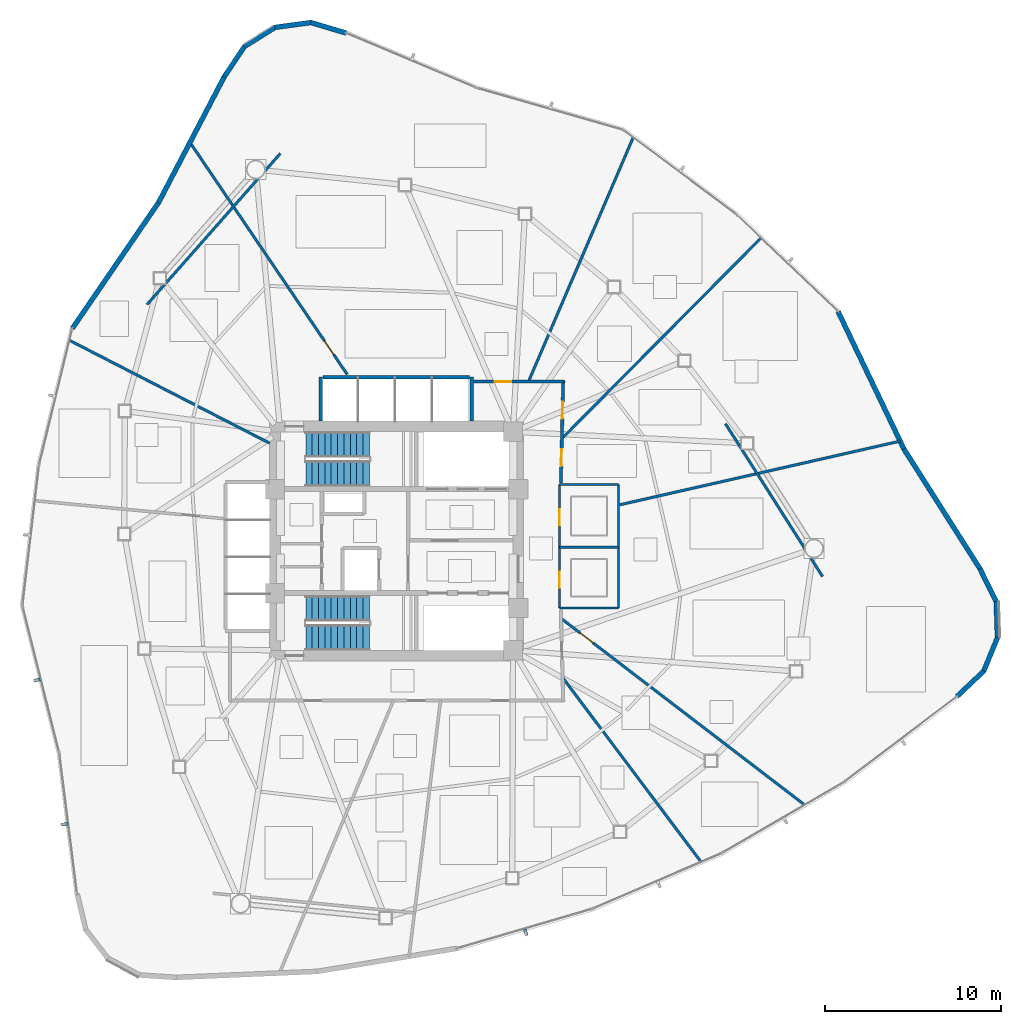
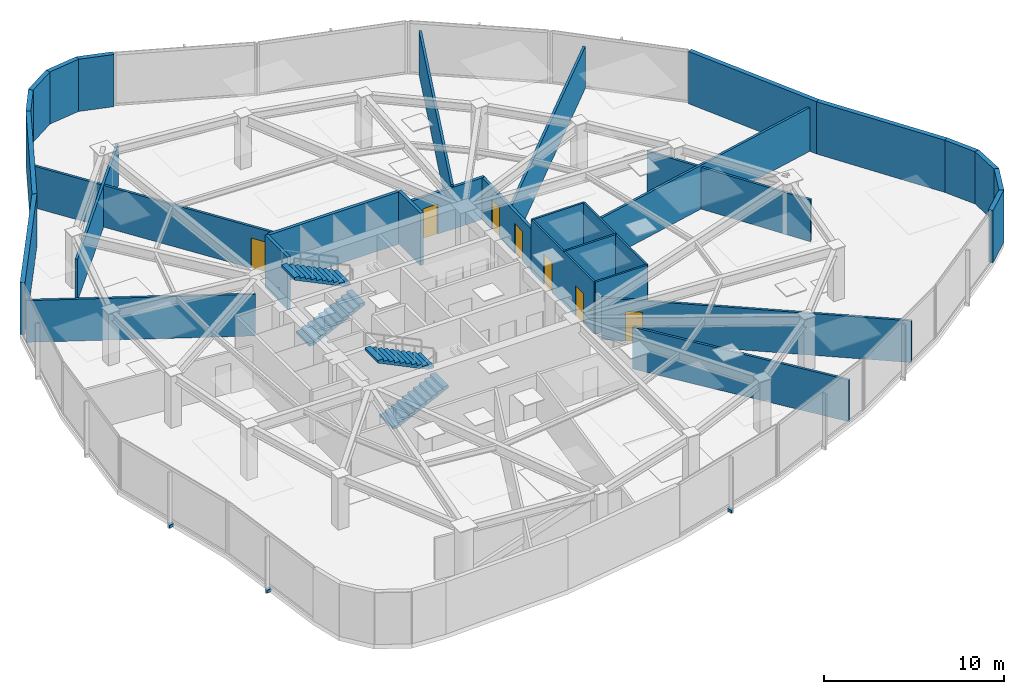
# One storey, part 12 of 17: 31 walls, 7 doors, 4 stair flights, 3 discrete accessories, 7 openings, 2 elements without a shape of their own.
"""IFC4 building model written with IfcOpenShell, lengths in metres."""

from ifc_helpers import new_model, si_unit, direction, frame, frame_2d, origin, origin_2d, place, context, subcontext, project, spatial, polyline, rectangle, outline, extrude, source, transform, mapped, material, layer, layer_set, type_object, type_shapes, element, fill, aggregate, save


model = new_model("IFC4")

# Units and contexts
model_context = context("Model", 3, precision=1e-05, world=origin(), true_north=direction((0.0, 1.0)))
body_context = subcontext(model_context, "Body", "Model", "MODEL_VIEW")
ifc_project = project(units=[si_unit("LENGTHUNIT", "METRE"), si_unit("AREAUNIT", "SQUARE_METRE"), si_unit("VOLUMEUNIT", "CUBIC_METRE"), si_unit("PLANEANGLEUNIT", "RADIAN"), si_unit("MASSUNIT", "GRAM", prefix="KILO")], contexts=[model_context])

# Site, building, storey
site_placement = place(None, origin())
site = spatial("IfcSite", under=ifc_project, at=site_placement, CompositionType="ELEMENT")
building_placement = place(site_placement, origin())
building = spatial("IfcBuilding", under=site, at=building_placement, Name="Tavelor Broadcast Tower", CompositionType="ELEMENT")
storey_placement = place(building_placement, frame((0.0, 0.0, 115.60009765625)))
storey = spatial("IfcBuildingStorey", under=building, at=storey_placement, Name="L26", CompositionType="ELEMENT", Elevation=115.60009765625)

# Wall, opening, door
ifc_material_1 = material(Name="Calcium Silicate Fire Board 180 mm", Category="gypsum")
ifc_layer_1 = layer(ifc_material_1, 0.179931640625)
ifc_layer_set_1 = layer_set([ifc_layer_1], Name="Calcium Silicate Fire Board 180 mm")
wall_type_1 = type_object("IfcWallType", Name="Fire-Rated Corridor Partition Wall 180 mm", PredefinedType="PARTITIONING", material=ifc_layer_set_1)
wall_1_placement = place(storey_placement, frame((54.300048828125, 54.050048828125, 0.0), z_axis=(0.0, 0.0, 1.0), x_axis=(1.0, 0.0, 0.0)))
wall_1 = element("IfcWall", 1, at=wall_1_placement, inside=storey, type_object=wall_type_1, Name="L26 Corridor Compartment Wall 01", PredefinedType="PARTITIONING", context=body_context, shape_type="SweptSolid", body=[
    extrude(rectangle(XDim=5.199951171875, YDim=0.179931640625, at=frame_2d((2.60009765625, 0.0))), origin(), (0.0, 0.0, 1.0), 2.8349609375),
])
opening_1_placement = place(wall_1_placement, frame((1.25244140625, 0.0, 0.0)))
opening_1 = element("IfcOpeningElement", 2, at=opening_1_placement, cuts=wall_1, Name="Opening DR18", PredefinedType="OPENING", context=body_context, shape_type="SweptSolid", body=[
    extrude(rectangle(XDim=0.949951171875, YDim=2.050048828125, at=frame_2d((0.47509765625, 1.02490234375))), frame((0.0, 0.10009765625, 0.0), z_axis=(0.0, -1.0, 0.0), x_axis=(1.0, 0.0, 0.0)), (0.0, 0.0, 1.0), 0.199951171875),
])
ifc_material_2 = material(Name="Timber Solid Core Hardwood", Category="wood")
door_type_1 = type_object("IfcDoorType", Name="Corridor Rated Compartment Door 950x2050", OperationType="NOTDEFINED", PredefinedType="DOOR", material=ifc_material_2)
door_1_placement = place(opening_1_placement, origin())
door_1 = element("IfcDoor", 3, at=door_1_placement, inside=storey, type_object=door_type_1, Name="L26 Master Control Room Door R8", OperationType="SINGLE_SWING_LEFT", OverallHeight=2.050048828125, OverallWidth=0.949951171875, PredefinedType="DOOR", context=body_context, shape_type="SweptSolid", body=[
    extrude(rectangle(XDim=0.949951171875, YDim=2.050048828125, at=frame_2d((0.47509765625, 1.02490234375))), frame((0.0, 0.02490234375, 0.0), z_axis=(0.0, -1.0, 0.0), x_axis=(1.0, 0.0, 0.0)), (0.0, 0.0, 1.0), 0.050048828125),
])
fill(opening_1, door_1)

# Wall, openings, doors
wall_2_placement = place(storey_placement, frame((59.451171875, 54.10009765625, 0.0), z_axis=(0.0, 0.0, 1.0), x_axis=(-0.023271046154, -0.999729192537, 0.0)))
wall_2 = element("IfcWall", 4, at=wall_2_placement, inside=storey, type_object=wall_type_1, Name="L26 Corridor Compartment Wall 02", PredefinedType="PARTITIONING", context=body_context, shape_type="SweptSolid", body=[
    extrude(rectangle(XDim=5.801513671875, YDim=0.179931640625, at=frame_2d((2.90087890625, 0.0))), origin(), (0.0, 0.0, 1.0), 2.8349609375),
])
opening_2_placement = place(wall_2_placement, frame((1.20849609375, 0.0, 0.0)))
opening_2 = element("IfcOpeningElement", 5, at=opening_2_placement, cuts=wall_2, Name="Opening DR18", PredefinedType="OPENING", context=body_context, shape_type="SweptSolid", body=[
    extrude(rectangle(XDim=0.949951171875, YDim=2.050048828125, at=frame_2d((0.47509765625, 1.02490234375))), frame((0.0, 0.10009765625, 0.0), z_axis=(0.0, -1.0, 0.0), x_axis=(1.0, 0.0, 0.0)), (0.0, 0.0, 1.0), 0.199951171875),
])
opening_3_placement = place(wall_2_placement, frame((3.894287109375, 0.0, 0.0)))
opening_3 = element("IfcOpeningElement", 6, at=opening_3_placement, cuts=wall_2, Name="Opening DR18", PredefinedType="OPENING", context=body_context, shape_type="SweptSolid", body=[
    extrude(rectangle(XDim=0.949951171875, YDim=2.050048828125, at=frame_2d((0.47509765625, 1.02490234375))), frame((0.0, 0.10009765625, 0.0), z_axis=(0.0, -1.0, 0.0), x_axis=(1.0, 0.0, 0.0)), (0.0, 0.0, 1.0), 0.199951171875),
])
door_2_placement = place(opening_2_placement, origin())
door_2 = element("IfcDoor", 7, at=door_2_placement, inside=storey, type_object=door_type_1, Name="L26 Studio Foley Workshop Door R9", OperationType="SINGLE_SWING_RIGHT", OverallHeight=2.050048828125, OverallWidth=0.949951171875, PredefinedType="DOOR", context=body_context, shape_type="SweptSolid", body=[
    extrude(rectangle(XDim=0.949951171875, YDim=2.050048828125, at=frame_2d((0.47509765625, 1.02490234375))), frame((0.0, 0.02490234375, 0.0), z_axis=(0.0, -1.0, 0.0), x_axis=(1.0, 0.0, 0.0)), (0.0, 0.0, 1.0), 0.050048828125),
])
fill(opening_2, door_2)
door_3_placement = place(opening_3_placement, origin())
door_3 = element("IfcDoor", 8, at=door_3_placement, inside=storey, type_object=door_type_1, Name="L26 Podcast Recording Studio Door R0", OperationType="SINGLE_SWING_LEFT", OverallHeight=2.050048828125, OverallWidth=0.949951171875, PredefinedType="DOOR", context=body_context, shape_type="SweptSolid", body=[
    extrude(rectangle(XDim=0.949951171875, YDim=2.050048828125, at=frame_2d((0.47509765625, 1.02490234375))), frame((0.0, 0.02490234375, 0.0), z_axis=(0.0, -1.0, 0.0), x_axis=(1.0, 0.0, 0.0)), (0.0, 0.0, 1.0), 0.050048828125),
])
fill(opening_3, door_3)

# Walls
ifc_material_3 = material(Name="Precast Concrete C40/50", Category="concrete")
ifc_layer_2 = layer(ifc_material_3, 0.280029296875)
ifc_layer_set_2 = layer_set([ifc_layer_2], Name="Precast Concrete C40/50")
wall_type_2 = type_object("IfcWallType", Name="Insulated Precast Terracotta Facade Wall 280 mm", PredefinedType="STANDARD", material=ifc_layer_set_2)
wall_3_placement = place(storey_placement, frame((47.130615234375, 73.824951171875, 0.0), z_axis=(0.0, 0.0, 1.0), x_axis=(-0.958057109421, 0.286577345733, 0.0)))
element("IfcWall", 9, at=wall_3_placement, inside=storey, type_object=wall_type_2, Name="L26 Rounded Corner Structural Cladding Pier 01", PredefinedType="STANDARD", context=body_context, shape_type="SweptSolid", body=[
    extrude(rectangle(XDim=2.09326171875, YDim=0.280029296875, at=frame_2d((1.046630859375, 0.0))), origin(), (0.0, 0.0, 1.0), 3.5498046875),
])
for number, where, z_axis, x_axis, name in (
    (10, (45.154296875, 74.42236328125, 0.0), (0.0, 0.0, 1.0), (-0.991114858431, -0.133008786918, 0.0), "L26 Rounded Corner Structural Cladding Pier 02"),
    (11, (43.118896484375, 74.1552734375, 0.0), (0.0, 0.0, 1.0), (-0.848485560795, -0.529218530593, 0.0), "L26 Rounded Corner Structural Cladding Pier 03"),
):
    element("IfcWall", number, at=place(storey_placement, frame(where, z_axis=z_axis, x_axis=x_axis)), inside=storey, type_object=wall_type_2, Name=name, PredefinedType="STANDARD", context=body_context, shape_type="SweptSolid", body=[
        extrude(rectangle(XDim=2.08154296875, YDim=0.280029296875, at=frame_2d((1.040771484375, 0.0))), origin(), (0.0, 0.0, 1.0), 3.5498046875),
    ])
wall_4_placement = place(storey_placement, frame((41.3740234375, 73.07421875, 0.0), z_axis=(0.0, 0.0, 1.0), x_axis=(-0.555556746899, -0.831478623282, 0.0)))
element("IfcWall", 12, at=wall_4_placement, inside=storey, type_object=wall_type_2, Name="L26 Rounded Corner Structural Cladding Pier 04", PredefinedType="STANDARD", context=body_context, shape_type="SweptSolid", body=[
    extrude(rectangle(XDim=2.10400390625, YDim=0.280029296875, at=frame_2d((1.052001953125, 0.0))), origin(), (0.0, 0.0, 1.0), 3.5498046875),
])
wall_5_placement = place(storey_placement, frame((40.22021484375, 71.3505859375, 0.0), z_axis=(0.0, 0.0, 1.0), x_axis=(-0.462914452977, -0.886402960975, 0.0)))
element("IfcWall", 13, at=wall_5_placement, inside=storey, type_object=wall_type_2, Name="L26 Rounded Corner Structural Cladding Pier 05", PredefinedType="STANDARD", context=body_context, shape_type="SweptSolid", body=[
    extrude(rectangle(XDim=8.068603515625, YDim=0.280029296875, at=frame_2d((4.0341796875, 0.0))), origin(), (0.0, 0.0, 1.0), 3.5498046875),
])
wall_6_placement = place(storey_placement, frame((36.50048828125, 64.22412109375, 0.0), z_axis=(0.0, 0.0, 1.0), x_axis=(-0.56512603043, -0.825004587703, 0.0)))
element("IfcWall", 14, at=wall_6_placement, inside=storey, type_object=wall_type_2, Name="L26 Rounded Corner Structural Cladding Pier 06", PredefinedType="STANDARD", context=body_context, shape_type="SweptSolid", body=[
    extrude(rectangle(XDim=8.669189453125, YDim=0.280029296875, at=frame_2d((4.33447265625, 0.0))), origin(), (0.0, 0.0, 1.0), 3.5498046875),
])
wall_7_placement = place(storey_placement, frame((81.798095703125, 36.190185546875, 0.0), z_axis=(0.0, 0.0, 1.0), x_axis=(0.727110183579, 0.686520779683, 0.0)))
element("IfcWall", 15, at=wall_7_placement, inside=storey, type_object=wall_type_2, Name="L26 Rounded Corner Structural Cladding Pier 21", PredefinedType="STANDARD", context=body_context, shape_type="SweptSolid", body=[
    extrude(rectangle(XDim=2.09326171875, YDim=0.280029296875, at=frame_2d((1.046630859375, 0.0))), origin(), (0.0, 0.0, 1.0), 3.5498046875),
])
wall_8_placement = place(storey_placement, frame((83.303466796875, 37.602783203125, 0.0), z_axis=(0.0, 0.0, 1.0), x_axis=(0.38023064768, 0.92489169883, 0.0)))
element("IfcWall", 16, at=wall_8_placement, inside=storey, type_object=wall_type_2, Name="L26 Rounded Corner Structural Cladding Pier 22", PredefinedType="STANDARD", context=body_context, shape_type="SweptSolid", body=[
    extrude(rectangle(XDim=2.08154296875, YDim=0.280029296875, at=frame_2d((1.040771484375, 0.0))), origin(), (0.0, 0.0, 1.0), 3.5498046875),
])
wall_9_placement = place(storey_placement, frame((84.089599609375, 39.499267578125, 0.0), z_axis=(0.0, 0.0, 1.0), x_axis=(-0.034017858603, 0.999421225158, 0.0)))
element("IfcWall", 17, at=wall_9_placement, inside=storey, type_object=wall_type_2, Name="L26 Rounded Corner Structural Cladding Pier 23", PredefinedType="STANDARD", context=body_context, shape_type="SweptSolid", body=[
    extrude(rectangle(XDim=2.081298828125, YDim=0.280029296875, at=frame_2d((1.04052734375, 0.0))), origin(), (0.0, 0.0, 1.0), 3.5498046875),
])
wall_10_placement = place(storey_placement, frame((84.02587890625, 41.551025390625, 0.0), z_axis=(0.0, 0.0, 1.0), x_axis=(-0.442240058181, 0.896896722561, 0.0)))
element("IfcWall", 18, at=wall_10_placement, inside=storey, type_object=wall_type_2, Name="L26 Rounded Corner Structural Cladding Pier 24", PredefinedType="STANDARD", context=body_context, shape_type="SweptSolid", body=[
    extrude(rectangle(XDim=2.103759765625, YDim=0.280029296875, at=frame_2d((1.0517578125, 0.0))), origin(), (0.0, 0.0, 1.0), 3.5498046875),
])
wall_11_placement = place(storey_placement, frame((83.110107421875, 43.411865234375, 0.0), z_axis=(0.0, 0.0, 1.0), x_axis=(-0.536180294115, 0.844103484297, 0.0)))
element("IfcWall", 19, at=wall_11_placement, inside=storey, type_object=wall_type_2, Name="L26 Rounded Corner Structural Cladding Pier 25", PredefinedType="STANDARD", context=body_context, shape_type="SweptSolid", body=[
    extrude(rectangle(XDim=8.06884765625, YDim=0.280029296875, at=frame_2d((4.034423828125, 0.0))), origin(), (0.0, 0.0, 1.0), 3.5498046875),
])
wall_12_placement = place(storey_placement, frame((78.79833984375, 50.196533203125, 0.0), z_axis=(0.0, 0.0, 1.0), x_axis=(-0.431907841394, 0.901917743778, 0.0)))
element("IfcWall", 20, at=wall_12_placement, inside=storey, type_object=wall_type_2, Name="L26 Rounded Corner Structural Cladding Pier 26", PredefinedType="STANDARD", context=body_context, shape_type="SweptSolid", body=[
    extrude(rectangle(XDim=8.66943359375, YDim=0.280029296875, at=frame_2d((4.334716796875, 0.0))), origin(), (0.0, 0.0, 1.0), 3.5498046875),
])
ifc_material_4 = material(Name="Gypsum Acoustic Plasterboard 150 mm", Category="gypsum")
ifc_layer_3 = layer(ifc_material_4, 0.14990234375)
ifc_layer_set_3 = layer_set([ifc_layer_3], Name="Gypsum Acoustic Plasterboard 150 mm")
wall_type_3 = type_object("IfcWallType", Name="Interior Acoustic Partition Wall 150 mm", PredefinedType="PARTITIONING", material=ifc_layer_set_3)
wall_13_placement = place(storey_placement, frame((43.399658203125, 66.988525390625, 0.0), z_axis=(0.0, 0.0, 1.0), x_axis=(-0.661622343701, -0.749837231881, 0.0)))
element("IfcWall", 21, at=wall_13_placement, inside=storey, type_object=wall_type_3, Name="L26 Corner Tube Brace Furring Wall 1", PredefinedType="PARTITIONING", context=body_context, shape_type="SweptSolid", body=[
    extrude(rectangle(XDim=11.42724609375, YDim=0.14990234375, at=frame_2d((5.713623046875, 0.0))), origin(), (0.0, 0.0, 1.0), 2.8349609375),
])
wall_14_placement = place(storey_placement, frame((74.16259765625, 42.9931640625, 0.0), z_axis=(0.0, 0.0, 1.0), x_axis=(-0.53628142437, 0.844039237166, 0.0)))
element("IfcWall", 22, at=wall_14_placement, inside=storey, type_object=wall_type_3, Name="L26 Corner Tube Brace Furring Wall 3", PredefinedType="PARTITIONING", context=body_context, shape_type="SweptSolid", body=[
    extrude(rectangle(XDim=10.266845703125, YDim=0.14990234375, at=frame_2d((5.13330078125, 0.0))), origin(), (0.0, 0.0, 1.0), 2.8349609375),
])
wall_15_placement = place(storey_placement, frame((59.416015625, 37.255859375, 0.0), z_axis=(0.0, 0.0, 1.0), x_axis=(0.60052474056, -0.799606175549, 0.0)))
element("IfcWall", 23, at=wall_15_placement, inside=storey, type_object=wall_type_3, Name="L26 Radial Compartment Wall 02", PredefinedType="PARTITIONING", context=body_context, shape_type="SweptSolid", body=[
    extrude(rectangle(XDim=13.098388671875, YDim=0.14990234375, at=frame_2d((6.54931640625, 0.0))), origin(), (0.0, 0.0, 1.0), 2.8349609375),
])

# Wall, opening, door
wall_16_placement = place(storey_placement, frame((59.328857421875, 40.614013671875, 0.0), z_axis=(0.0, 0.0, 1.0), x_axis=(0.794014010307, -0.607899458329, 0.0)))
wall_16 = element("IfcWall", 24, at=wall_16_placement, inside=storey, type_object=wall_type_3, Name="L26 Radial Compartment Wall 03", PredefinedType="PARTITIONING", context=body_context, shape_type="SweptSolid", body=[
    extrude(rectangle(XDim=17.42041015625, YDim=0.14990234375, at=frame_2d((8.710205078125, 0.0))), origin(), (0.0, 0.0, 1.0), 2.8349609375),
])
opening_4_placement = place(wall_16_placement, frame((1.35009765625, 0.0, 0.0)))
opening_4 = element("IfcOpeningElement", 25, at=opening_4_placement, cuts=wall_16, Name="Opening DR18", PredefinedType="OPENING", context=body_context, shape_type="SweptSolid", body=[
    extrude(rectangle(XDim=0.949951171875, YDim=2.050048828125, at=frame_2d((0.47509765625, 1.02490234375))), frame((0.0, 0.0849609375, 0.0), z_axis=(0.0, -1.0, 0.0), x_axis=(1.0, 0.0, 0.0)), (0.0, 0.0, 1.0), 0.169921875),
])
door_4_placement = place(opening_4_placement, origin())
door_4 = element("IfcDoor", 26, at=door_4_placement, inside=storey, type_object=door_type_1, Name="L26 Suite Connecting Door 1", OperationType="SINGLE_SWING_RIGHT", OverallHeight=2.050048828125, OverallWidth=0.949951171875, PredefinedType="DOOR", context=body_context, shape_type="SweptSolid", body=[
    extrude(rectangle(XDim=0.949951171875, YDim=2.050048828125, at=frame_2d((0.47509765625, 1.02490234375))), frame((0.0, 0.02490234375, 0.0), z_axis=(0.0, -1.0, 0.0), x_axis=(1.0, 0.0, 0.0)), (0.0, 0.0, 1.0), 0.050048828125),
])
fill(opening_4, door_4)

# Walls
wall_17_placement = place(storey_placement, frame((62.64990234375, 47.05517578125, 0.0), z_axis=(0.0, 0.0, 1.0), x_axis=(0.975173795811, 0.22144089045, 0.0)))
element("IfcWall", 27, at=wall_17_placement, inside=storey, type_object=wall_type_3, Name="L26 Radial Compartment Wall 04", PredefinedType="PARTITIONING", context=body_context, shape_type="SweptSolid", body=[
    extrude(rectangle(XDim=16.3369140625, YDim=0.14990234375, at=frame_2d((8.16845703125, 0.0))), origin(), (0.0, 0.0, 1.0), 2.974853515625),
])
wall_18_placement = place(storey_placement, frame((59.374755859375, 50.815673828125, 0.0), z_axis=(0.0, 0.0, 1.0), x_axis=(0.704599563608, 0.709605140176, 0.0)))
element("IfcWall", 28, at=wall_18_placement, inside=storey, type_object=wall_type_3, Name="L26 Radial Compartment Wall 05", PredefinedType="PARTITIONING", context=body_context, shape_type="SweptSolid", body=[
    extrude(rectangle(XDim=16.046630859375, YDim=0.14990234375, at=frame_2d((8.0234375, 0.0))), origin(), (0.0, 0.0, 1.0), 2.8349609375),
])
wall_19_placement = place(storey_placement, frame((57.481689453125, 54.050048828125, 0.0), z_axis=(0.0, 0.0, 1.0), x_axis=(0.394188925316, 0.919029428886, 0.0)))
element("IfcWall", 29, at=wall_19_placement, inside=storey, type_object=wall_type_3, Name="L26 Radial Compartment Wall 06", PredefinedType="PARTITIONING", context=body_context, shape_type="SweptSolid", body=[
    extrude(rectangle(XDim=15.079833984375, YDim=0.14990234375, at=frame_2d((7.5400390625, 0.0))), origin(), (0.0, 0.0, 1.0), 2.974853515625),
])

# Wall, opening, door
wall_20_placement = place(storey_placement, frame((47.19775390625, 54.449951171875, 0.0), z_axis=(0.0, 0.0, 1.0), x_axis=(-0.560884082232, 0.827894344889, 0.0)))
wall_20 = element("IfcWall", 30, at=wall_20_placement, inside=storey, type_object=wall_type_3, Name="L26 Radial Compartment Wall 07", PredefinedType="PARTITIONING", context=body_context, shape_type="SweptSolid", body=[
    extrude(rectangle(XDim=15.92236328125, YDim=0.14990234375, at=frame_2d((7.961181640625, 0.0))), origin(), (0.0, 0.0, 1.0), 2.8349609375),
])
opening_5_placement = place(wall_20_placement, frame((1.35009765625, 0.0, 0.0)))
opening_5 = element("IfcOpeningElement", 31, at=opening_5_placement, cuts=wall_20, Name="Opening DR18", PredefinedType="OPENING", context=body_context, shape_type="SweptSolid", body=[
    extrude(rectangle(XDim=0.949951171875, YDim=2.050048828125, at=frame_2d((0.47509765625, 1.02490234375))), frame((0.0, 0.0849609375, 0.0), z_axis=(0.0, -1.0, 0.0), x_axis=(1.0, 0.0, 0.0)), (0.0, 0.0, 1.0), 0.169921875),
])
door_5_placement = place(opening_5_placement, origin())
door_5 = element("IfcDoor", 32, at=door_5_placement, inside=storey, type_object=door_type_1, Name="L26 Suite Connecting Door 7", OperationType="SINGLE_SWING_LEFT", OverallHeight=2.050048828125, OverallWidth=0.949951171875, PredefinedType="DOOR", context=body_context, shape_type="SweptSolid", body=[
    extrude(rectangle(XDim=0.949951171875, YDim=2.050048828125, at=frame_2d((0.47509765625, 1.02490234375))), frame((0.0, 0.02490234375, 0.0), z_axis=(0.0, -1.0, 0.0), x_axis=(1.0, 0.0, 0.0)), (0.0, 0.0, 1.0), 0.050048828125),
])
fill(opening_5, door_5)

# Walls
wall_21_placement = place(storey_placement, frame((42.800048828125, 50.55029296875, 0.0), z_axis=(0.0, 0.0, 1.0), x_axis=(-0.889423329843, 0.457084390819, 0.0)))
element("IfcWall", 33, at=wall_21_placement, inside=storey, type_object=wall_type_3, Name="L26 Radial Compartment Wall 08", PredefinedType="PARTITIONING", context=body_context, shape_type="SweptSolid", body=[
    extrude(rectangle(XDim=12.786376953125, YDim=0.14990234375, at=frame_2d((6.39306640625, 0.0))), origin(), (0.0, 0.0, 1.0), 2.8349609375),
])
ifc_material_5 = material(Name="Concrete Blockwork 200 mm", Category="masonry")
ifc_layer_4 = layer(ifc_material_5, 0.199951171875)
ifc_layer_set_4 = layer_set([ifc_layer_4], Name="Concrete Blockwork 200 mm")
wall_type_4 = type_object("IfcWallType", Name="Lift Hoistway Rated Front Wall 200 mm", PredefinedType="PARTITIONING", material=ifc_layer_set_4)
wall_22_placement = place(storey_placement, frame((45.820068359375, 54.300048828125, 0.0), z_axis=(0.0, 0.0, 1.0), x_axis=(1.0, 0.0, 0.0)))
element("IfcWall", 34, at=wall_22_placement, inside=storey, type_object=wall_type_4, Name="L26 High-Rise Lift Hoistway Front Wall", PredefinedType="PARTITIONING", context=body_context, shape_type="SweptSolid", body=[
    extrude(rectangle(XDim=8.309814453125, YDim=0.199951171875, at=frame_2d((4.15478515625, 0.0))), origin(), (0.0, 0.0, 1.0), 3.5498046875),
])
ifc_layer_5 = layer(ifc_material_5, 0.199951171875)
ifc_layer_set_5 = layer_set([ifc_layer_5], Name="Concrete Blockwork 200 mm")
wall_type_5 = type_object("IfcWallType", Name="Lift and Riser Shaft Enclosure Wall 200 mm", PredefinedType="PARTITIONING", material=ifc_layer_set_5)
for number, where, z_axis, x_axis, name in (
    (35, (45.699951171875, 51.800048828125, 0.0), (0.0, 0.0, 1.0), (0.0, 1.0, 0.0), "L26 High-Rise Lift Shaft West Wall"),
    (36, (54.25, 51.800048828125, 0.0), (0.0, 0.0, 1.0), (0.0, 1.0, 0.0), "L26 High-Rise Lift Shaft East Wall"),
):
    element("IfcWall", number, at=place(storey_placement, frame(where, z_axis=z_axis, x_axis=x_axis)), inside=storey, type_object=wall_type_5, Name=name, PredefinedType="PARTITIONING", context=body_context, shape_type="SweptSolid", body=[
        extrude(rectangle(XDim=2.5, YDim=0.199951171875, at=frame_2d((1.25, 0.0))), origin(), (0.0, 0.0, 1.0), 3.5498046875),
    ])

# Wall, openings, doors
ifc_material_6 = material(Name="Moisture-Resistant Plasterboard 120 mm", Category="gypsum")
ifc_layer_6 = layer(ifc_material_6, 0.1201171875)
ifc_layer_set_6 = layer_set([ifc_layer_6], Name="Moisture-Resistant Plasterboard 120 mm")
wall_type_6 = type_object("IfcWallType", Name="Moisture-Resistant Wet-Room Partition 120 mm", PredefinedType="PARTITIONING", material=ifc_layer_set_6)
wall_23_placement = place(storey_placement, frame((59.239990234375, 41.199951171875, 0.0), z_axis=(0.0, 0.0, 1.0), x_axis=(0.0, 1.0, 0.0)))
wall_23 = element("IfcWall", 37, at=wall_23_placement, inside=storey, type_object=wall_type_6, Name="L26 Floor Washrooms West Wall", PredefinedType="PARTITIONING", context=body_context, shape_type="SweptSolid", body=[
    extrude(rectangle(XDim=7.0, YDim=0.1201171875, at=frame_2d((3.5, 0.0))), origin(), (0.0, 0.0, 1.0), 3.5498046875),
])
opening_6_placement = place(wall_23_placement, frame((1.14990234375, 0.0, 0.0)))
opening_6 = element("IfcOpeningElement", 38, at=opening_6_placement, cuts=wall_23, Name="Opening DR32", PredefinedType="OPENING", context=body_context, shape_type="SweptSolid", body=[
    extrude(rectangle(XDim=0.89990234375, YDim=2.050048828125, at=frame_2d((0.449951171875, 1.02490234375))), frame((0.0, 0.070068359375, 0.0), z_axis=(0.0, -1.0, 0.0), x_axis=(1.0, 0.0, 0.0)), (0.0, 0.0, 1.0), 0.14013671875),
])
opening_7_placement = place(wall_23_placement, frame((4.699951171875, 0.0, 0.0)))
opening_7 = element("IfcOpeningElement", 39, at=opening_7_placement, cuts=wall_23, Name="Opening DR32", PredefinedType="OPENING", context=body_context, shape_type="SweptSolid", body=[
    extrude(rectangle(XDim=0.89990234375, YDim=2.050048828125, at=frame_2d((0.449951171875, 1.02490234375))), frame((0.0, 0.070068359375, 0.0), z_axis=(0.0, -1.0, 0.0), x_axis=(1.0, 0.0, 0.0)), (0.0, 0.0, 1.0), 0.14013671875),
])
door_type_2 = type_object("IfcDoorType", Name="Accessible Washroom Door 900x2050", OperationType="NOTDEFINED", PredefinedType="DOOR", material=ifc_material_2)
door_6_placement = place(opening_6_placement, origin())
door_6 = element("IfcDoor", 40, at=door_6_placement, inside=storey, type_object=door_type_2, Name="L26 Accessible WC Door", OperationType="SINGLE_SWING_LEFT", OverallHeight=2.050048828125, OverallWidth=0.89990234375, PredefinedType="DOOR", context=body_context, shape_type="SweptSolid", body=[
    extrude(rectangle(XDim=0.89990234375, YDim=2.050048828125, at=frame_2d((0.449951171875, 1.02490234375))), frame((0.0, 0.02490234375, 0.0), z_axis=(0.0, -1.0, 0.0), x_axis=(1.0, 0.0, 0.0)), (0.0, 0.0, 1.0), 0.050048828125),
])
fill(opening_6, door_6)
door_7_placement = place(opening_7_placement, origin())
door_7 = element("IfcDoor", 41, at=door_7_placement, inside=storey, type_object=door_type_2, Name="L26 Staff Washroom WC Door", OperationType="SINGLE_SWING_RIGHT", OverallHeight=2.050048828125, OverallWidth=0.89990234375, PredefinedType="DOOR", context=body_context, shape_type="SweptSolid", body=[
    extrude(rectangle(XDim=0.89990234375, YDim=2.050048828125, at=frame_2d((0.449951171875, 1.02490234375))), frame((0.0, 0.02490234375, 0.0), z_axis=(0.0, -1.0, 0.0), x_axis=(1.0, 0.0, 0.0)), (0.0, 0.0, 1.0), 0.050048828125),
])
fill(opening_7, door_7)

# Walls
for number, where, z_axis, x_axis, name in (
    (42, (59.239990234375, 41.199951171875, 0.0), (0.0, 0.0, 1.0), (1.0, 0.0, 0.0), "L26 Floor Washrooms South Wall"),
    (43, (59.239990234375, 44.64990234375, 0.0), (0.0, 0.0, 1.0), (1.0, 0.0, 0.0), "L26 Floor Washrooms Divider Wall"),
    (44, (59.239990234375, 48.199951171875, 0.0), (0.0, 0.0, 1.0), (1.0, 0.0, 0.0), "L26 Floor Washrooms North Wall"),
):
    element("IfcWall", number, at=place(storey_placement, frame(where, z_axis=z_axis, x_axis=x_axis)), inside=storey, type_object=wall_type_6, Name=name, PredefinedType="PARTITIONING", context=body_context, shape_type="SweptSolid", body=[
        extrude(rectangle(XDim=3.340087890625, YDim=0.1201171875, at=frame_2d((1.669921875, 0.0))), origin(), (0.0, 0.0, 1.0), 3.5498046875),
    ])
wall_24_placement = place(storey_placement, frame((62.580078125, 41.199951171875, 0.0), z_axis=(0.0, 0.0, 1.0), x_axis=(0.0, 1.0, 0.0)))
element("IfcWall", 45, at=wall_24_placement, inside=storey, type_object=wall_type_6, Name="L26 Floor Washrooms East Wall", PredefinedType="PARTITIONING", context=body_context, shape_type="SweptSolid", body=[
    extrude(rectangle(XDim=7.0, YDim=0.1201171875, at=frame_2d((3.5, 0.0))), origin(), (0.0, 0.0, 1.0), 3.5498046875),
])

# Stair, stair flights
ifc_material_7 = material(Name="Concrete C40/50", Category="concrete")
stair_type = type_object("IfcStairType", Name="Reinforced Concrete Protected Dogleg Stair 1450 mm", PredefinedType="HALF_TURN_STAIR", material=ifc_material_7)
stair_1_placement = place(storey_placement, origin())
stair_1 = element("IfcStair", 46, at=stair_1_placement, inside=storey, type_object=stair_type, Name="L26 Protected Core Exit Stair ST1", PredefinedType="HALF_TURN_STAIR")
stair_flight_type = type_object("IfcStairFlightType", Name="Reinforced Concrete Stair Flight 1450 mm", PredefinedType="STRAIGHT", material=ifc_material_7)
stair_flight_1_placement = place(storey_placement, frame((44.85009765625, 48.824951171875, 0.0), z_axis=(0.0, 0.0, 1.0), x_axis=(1.0, 0.0, 0.0)))
stair_flight_1 = element("IfcStairFlight", 47, at=stair_flight_1_placement, type_object=stair_flight_type, Name="ST1 flight 1", NumberOfRisers=11, NumberOfTreads=10, PredefinedType="STRAIGHT", RiserHeight=0.175, TreadLength=0.36, context=body_context, shape_type="SweptSolid", body=[
    extrude(outline(polyline([(0.0, 0.0), (0.0, 0.175048828125), (0.360107421875, 0.175048828125), (0.360107421875, 0.35009765625), (0.719970703125, 0.35009765625), (0.719970703125, 0.52490234375), (1.080078125, 0.52490234375), (1.080078125, 0.699951171875), (1.43994140625, 0.699951171875), (1.43994140625, 0.875), (1.800048828125, 0.875), (1.800048828125, 1.050048828125), (2.159912109375, 1.050048828125), (2.159912109375, 1.22509765625), (2.52001953125, 1.22509765625), (2.52001953125, 1.39990234375), (2.8798828125, 1.39990234375), (2.8798828125, 1.574951171875), (3.239990234375, 1.574951171875), (3.239990234375, 1.75), (3.60009765625, 1.75), (3.60009765625, 1.925048828125), (3.60009765625, 1.583251953125), (0.3427734375, 0.0), (0.0, 0.0)])), frame((0.0, 0.72509765625, 0.0), z_axis=(0.0, -1.0, 0.0), x_axis=(1.0, 0.0, 0.0)), (0.0, 0.0, 1.0), 1.449951171875),
])
stair_flight_2_placement = place(storey_placement, frame((48.449951171875, 50.47509765625, 1.9248046875), z_axis=(0.0, 0.0, 1.0), x_axis=(-1.0, 0.0, 0.0)))
stair_flight_2 = element("IfcStairFlight", 48, at=stair_flight_2_placement, type_object=stair_flight_type, Name="ST1 flight 2", NumberOfRisers=11, NumberOfTreads=10, PredefinedType="STRAIGHT", RiserHeight=0.175, TreadLength=0.36, context=body_context, shape_type="SweptSolid", body=[
    extrude(outline(polyline([(0.0, 0.0), (0.0, 0.175048828125), (0.360107421875, 0.175048828125), (0.360107421875, 0.35009765625), (0.719970703125, 0.35009765625), (0.719970703125, 0.52490234375), (1.080078125, 0.52490234375), (1.080078125, 0.699951171875), (1.43994140625, 0.699951171875), (1.43994140625, 0.875), (1.800048828125, 0.875), (1.800048828125, 1.050048828125), (2.159912109375, 1.050048828125), (2.159912109375, 1.22509765625), (2.52001953125, 1.22509765625), (2.52001953125, 1.39990234375), (2.8798828125, 1.39990234375), (2.8798828125, 1.574951171875), (3.239990234375, 1.574951171875), (3.239990234375, 1.75), (3.60009765625, 1.75), (3.60009765625, 1.925048828125), (3.60009765625, 1.583251953125), (0.3427734375, 0.0), (0.0, 0.0)])), frame((0.0, 0.72509765625, 0.0), z_axis=(0.0, -1.0, 0.0), x_axis=(1.0, 0.0, 0.0)), (0.0, 0.0, 1.0), 1.449951171875),
])
aggregate(stair_1, [stair_flight_1, stair_flight_2])

stair_2_placement = place(storey_placement, origin())
stair_2 = element("IfcStair", 49, at=stair_2_placement, inside=storey, type_object=stair_type, Name="L26 Protected Core Exit Stair ST2", PredefinedType="HALF_TURN_STAIR")
stair_flight_3_placement = place(storey_placement, frame((44.85009765625, 39.52490234375, 0.0), z_axis=(0.0, 0.0, 1.0), x_axis=(1.0, 0.0, 0.0)))
stair_flight_3 = element("IfcStairFlight", 50, at=stair_flight_3_placement, type_object=stair_flight_type, Name="ST2 flight 1", NumberOfRisers=11, NumberOfTreads=10, PredefinedType="STRAIGHT", RiserHeight=0.175, TreadLength=0.36, context=body_context, shape_type="SweptSolid", body=[
    extrude(outline(polyline([(0.0, 0.0), (0.0, 0.175048828125), (0.360107421875, 0.175048828125), (0.360107421875, 0.35009765625), (0.719970703125, 0.35009765625), (0.719970703125, 0.52490234375), (1.080078125, 0.52490234375), (1.080078125, 0.699951171875), (1.43994140625, 0.699951171875), (1.43994140625, 0.875), (1.800048828125, 0.875), (1.800048828125, 1.050048828125), (2.159912109375, 1.050048828125), (2.159912109375, 1.22509765625), (2.52001953125, 1.22509765625), (2.52001953125, 1.39990234375), (2.8798828125, 1.39990234375), (2.8798828125, 1.574951171875), (3.239990234375, 1.574951171875), (3.239990234375, 1.75), (3.60009765625, 1.75), (3.60009765625, 1.925048828125), (3.60009765625, 1.583251953125), (0.3427734375, 0.0), (0.0, 0.0)])), frame((0.0, 0.72509765625, 0.0), z_axis=(0.0, -1.0, 0.0), x_axis=(1.0, 0.0, 0.0)), (0.0, 0.0, 1.0), 1.449951171875),
])
stair_flight_4_placement = place(storey_placement, frame((48.449951171875, 41.175048828125, 1.9248046875), z_axis=(0.0, 0.0, 1.0), x_axis=(-1.0, 0.0, 0.0)))
stair_flight_4 = element("IfcStairFlight", 51, at=stair_flight_4_placement, type_object=stair_flight_type, Name="ST2 flight 2", NumberOfRisers=11, NumberOfTreads=10, PredefinedType="STRAIGHT", RiserHeight=0.175, TreadLength=0.36, context=body_context, shape_type="SweptSolid", body=[
    extrude(outline(polyline([(0.0, 0.0), (0.0, 0.175048828125), (0.360107421875, 0.175048828125), (0.360107421875, 0.35009765625), (0.719970703125, 0.35009765625), (0.719970703125, 0.52490234375), (1.080078125, 0.52490234375), (1.080078125, 0.699951171875), (1.43994140625, 0.699951171875), (1.43994140625, 0.875), (1.800048828125, 0.875), (1.800048828125, 1.050048828125), (2.159912109375, 1.050048828125), (2.159912109375, 1.22509765625), (2.52001953125, 1.22509765625), (2.52001953125, 1.39990234375), (2.8798828125, 1.39990234375), (2.8798828125, 1.574951171875), (3.239990234375, 1.574951171875), (3.239990234375, 1.75), (3.60009765625, 1.75), (3.60009765625, 1.925048828125), (3.60009765625, 1.583251953125), (0.3427734375, 0.0), (0.0, 0.0)])), frame((0.0, 0.72509765625, 0.0), z_axis=(0.0, -1.0, 0.0), x_axis=(1.0, 0.0, 0.0)), (0.0, 0.0, 1.0), 1.449951171875),
])
aggregate(stair_2, [stair_flight_3, stair_flight_4])

# Discrete accessories
ifc_material_8 = material(Name="Steel S355", Category="steel")
discrete_accessory_type = type_object("IfcDiscreteAccessoryType", Name="Stainless Baguette Outrigger Support Bracket 260x180", PredefinedType="BRACKET", material=ifc_material_8)
shared_shape = source(origin(), body_context, "Body", "SweptSolid", [
    extrude(rectangle(XDim=0.179931640625, YDim=0.340087890625, at=origin_2d()), origin(), (0.0, 0.0, 1.0), 0.216064453125),
])
type_shapes(discrete_accessory_type, [shared_shape])
for number, where, z_axis, x_axis, name in (
    (52, (29.603515625, 37.1162109375, -0.25830078125), (0.0, 0.0, 1.0), (0.242091240466, -0.970253488162, 0.0), "L26 Baguette Outrigger Bracket 243"),
    (53, (31.153076171875, 28.933349609375, -0.25830078125), (0.0, 0.0, 1.0), (0.124986912574, -0.992158390422, 0.0), "L26 Baguette Outrigger Bracket 244"),
    (54, (57.32373046875, 22.800048828125, -0.25830078125), (0.0, 0.0, 1.0), (0.959707262339, 0.281001727065, 0.0), "L26 Baguette Outrigger Bracket 245"),
):
    element("IfcDiscreteAccessory", number, at=place(storey_placement, frame(where, z_axis=z_axis, x_axis=x_axis)), inside=storey, type_object=discrete_accessory_type, Name=name, PredefinedType="BRACKET", context=body_context, shape_type="MappedRepresentation", body=[
        mapped(shared_shape, transform((0.0, 0.0, 0.0), scale=1.0)),
    ])

save(model, "model.ifc")
